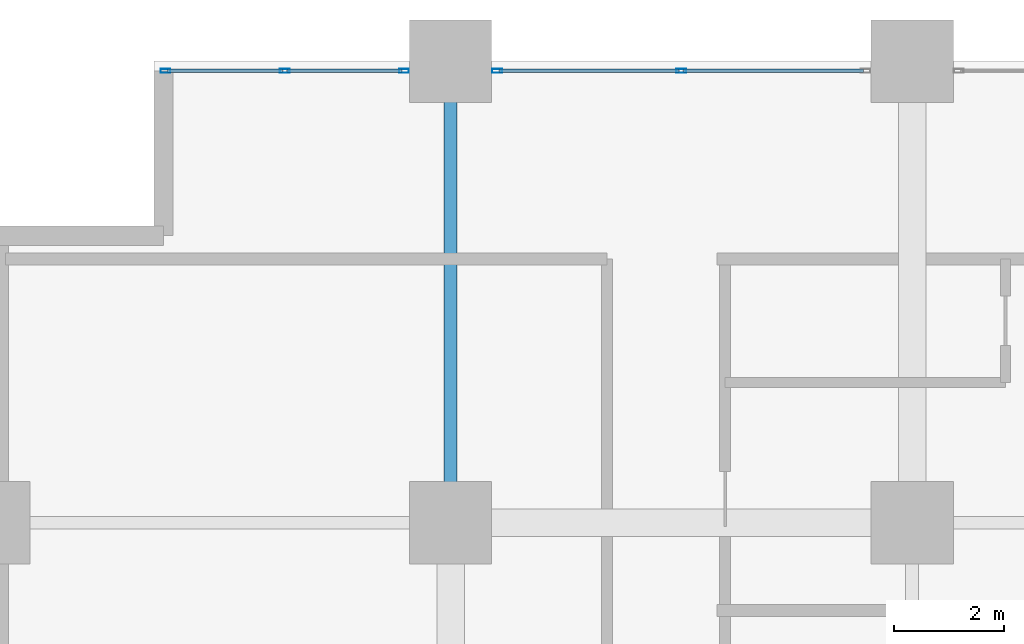
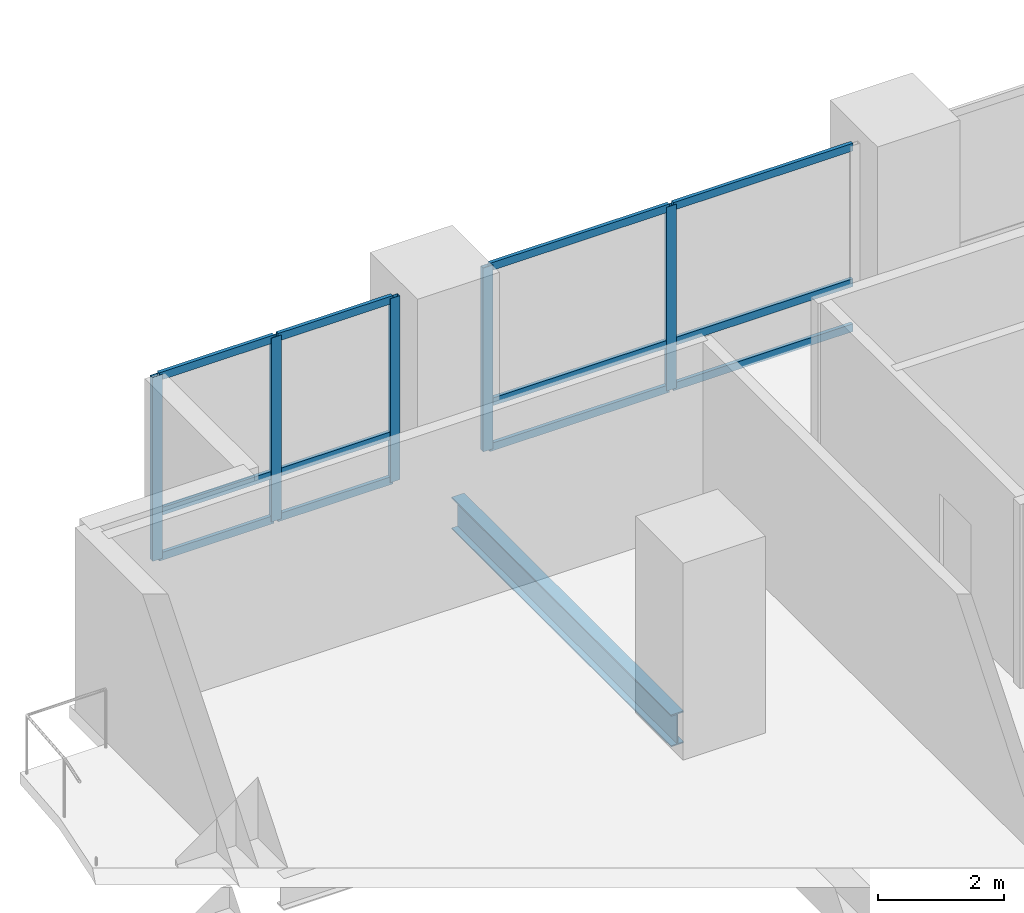
# One storey, part 3 of 22: 17 members, 1 beam, 2 elements without a shape of their own.
"""IFC4 building model written with IfcOpenShell, lengths in metres."""

import ifcopenshell
import ifcopenshell.guid

model = None  # the IFC model being written
_history = None  # IfcOwnerHistory: only IFC2X3 demands one
_inside = {}  # id of a spatial element -> (the spatial element, [elements in it])
_under = {}  # id of a project, library or spatial element -> (it, [spatial elements below it])
_declared = {}  # id of a project -> (the project, [libraries it declares])
_typed = {}  # id of a type object -> (the type object, [elements of that type])
_made_of = {}  # id of a material, layer set ... -> (it, [elements and type objects made of it])


def new_model(schema):
    """Start an empty IFC model of exactly this schema.

    Asked for "IFC4X3", IfcOpenShell would pick the latest addendum, in which some entities
    have other attributes; the version numbers below select the first issue.
    IFC2X3 requires an IfcOwnerHistory on every rooted entity: one is made here for all.
    """
    global model, _history
    if schema == "IFC4X3":
        model = ifcopenshell.file(schema_version=(4, 3, 0, 0))
    else:
        model = ifcopenshell.file(schema=schema)
    _inside.clear()
    _under.clear()
    _declared.clear()
    _typed.clear()
    _made_of.clear()
    _history = None
    if model.schema == "IFC2X3":
        org = make("IfcOrganization", Name="unknown")
        user = make(
            "IfcPersonAndOrganization",
            ThePerson=make("IfcPerson", FamilyName="unknown"),
            TheOrganization=org,
        )
        app = make(
            "IfcApplication",
            ApplicationDeveloper=org,
            Version="unknown",
            ApplicationFullName="unknown",
            ApplicationIdentifier="unknown",
        )
        _history = make(
            "IfcOwnerHistory",
            OwningUser=user,
            OwningApplication=app,
            ChangeAction="ADDED",
            CreationDate=0,
        )
    return model


def make(cls, **values):
    """One entity of the class cls with the attributes given. An attribute that is None is left unset."""
    return model.create_entity(
        cls, **{name: value for name, value in values.items() if value is not None}
    )


def rooted(cls, **values):
    """An entity with a GlobalId (a new one), such as an element, a storey or a relation."""
    return make(cls, GlobalId=ifcopenshell.guid.new(), OwnerHistory=_history, **values)


def si_unit(unit_type, name, prefix=None):
    """IfcSIUnit, for example si_unit("LENGTHUNIT", "METRE", prefix="MILLI")."""
    return make("IfcSIUnit", UnitType=unit_type, Prefix=prefix, Name=name)


def assignment(units):
    """IfcUnitAssignment: the units of a project."""
    return None if units is None else make("IfcUnitAssignment", Units=units)


def point(xyz):
    """IfcCartesianPoint."""
    return None if xyz is None else make("IfcCartesianPoint", Coordinates=xyz)


def direction(xyz):
    """IfcDirection."""
    return None if xyz is None else make("IfcDirection", DirectionRatios=xyz)


def frame(location, z_axis=None, x_axis=None):
    """IfcAxis2Placement3D, a coordinate frame: its origin and axes. An axis left out is left unset."""
    return make(
        "IfcAxis2Placement3D",
        Location=point(location),
        Axis=direction(z_axis),
        RefDirection=direction(x_axis),
    )


def frame_2d(location, x_axis=None):
    """IfcAxis2Placement2D, a coordinate frame in the plane: its origin and x axis."""
    return make(
        "IfcAxis2Placement2D", Location=point(location), RefDirection=direction(x_axis)
    )


def origin():
    """The frame at (0, 0, 0) with its axes left unset."""
    return frame((0.0, 0.0, 0.0))


def origin_2d():
    """The frame at (0, 0) in the plane with its x axis left unset."""
    return frame_2d((0.0, 0.0))


def place(relative_to, where):
    """IfcLocalPlacement: puts the frame where relative to a parent placement (None: the world)."""
    return make(
        "IfcLocalPlacement", PlacementRelTo=relative_to, RelativePlacement=where
    )


def context(
    kind, dimensions, precision=None, world=None, true_north=None, identifier=None
):
    """IfcGeometricRepresentationContext, for example the 3D "Model" context."""
    return make(
        "IfcGeometricRepresentationContext",
        ContextIdentifier=identifier,
        ContextType=kind,
        CoordinateSpaceDimension=dimensions,
        Precision=precision,
        WorldCoordinateSystem=world,
        TrueNorth=true_north,
    )


def subcontext(parent, identifier, kind, view, scale=None):
    """IfcGeometricRepresentationSubContext, for example "Body" below "Model"."""
    return make(
        "IfcGeometricRepresentationSubContext",
        ContextIdentifier=identifier,
        ContextType=kind,
        ParentContext=parent,
        TargetScale=scale,
        TargetView=view,
    )


def project(units=None, contexts=None):
    """IfcProject with its units and contexts."""
    return rooted(
        "IfcProject",
        Name="project",
        RepresentationContexts=contexts,
        UnitsInContext=assignment(units),
    )


def spatial(cls, under=None, at=None, **own):
    """A site, building, storey or space (cls), placed at a placement, below another one or the project."""
    s = rooted(cls, ObjectPlacement=at, **own)
    if under is not None:
        _under.setdefault(under.id(), (under, []))[1].append(s)
    return s


def profile(cls, at=None, kind="AREA", **sizes):
    """A parametric profile (cls). Its sizes go by their IFC names, for example OverallWidth=200.0."""
    return make(cls, ProfileType=kind, Position=at, **sizes)


def hollow_rectangle(**sizes):
    """IfcRectangleHollowProfileDef."""
    return profile("IfcRectangleHollowProfileDef", **sizes)


def i_section(**sizes):
    """IfcIShapeProfileDef."""
    return profile("IfcIShapeProfileDef", **sizes)


def extrude(swept, where, along, depth):
    """IfcExtrudedAreaSolid: the profile swept, set in the frame where, extruded along a direction by depth."""
    return make(
        "IfcExtrudedAreaSolid",
        SweptArea=swept,
        Position=where,
        ExtrudedDirection=direction(along),
        Depth=depth,
    )


def shape(context_of_items, identifier, shape_type, items):
    """IfcShapeRepresentation: the items that make up one representation, for example the "Body"."""
    return make(
        "IfcShapeRepresentation",
        ContextOfItems=context_of_items,
        RepresentationIdentifier=identifier,
        RepresentationType=shape_type,
        Items=items,
    )


def material(Name=None, Category=None):
    """IfcMaterial."""
    return make("IfcMaterial", Name=Name, Category=Category)


def layer(
    of_material, thickness, ventilated=None, Name=None, Category=None, Priority=None
):
    """IfcMaterialLayer: one layer of a wall or slab, of a material (None: an air gap)."""
    return make(
        "IfcMaterialLayer",
        Material=of_material,
        LayerThickness=thickness,
        IsVentilated=ventilated,
        Name=Name,
        Category=Category,
        Priority=Priority,
    )


def layer_set(layers, Name=None):
    """IfcMaterialLayerSet."""
    return make("IfcMaterialLayerSet", MaterialLayers=layers, LayerSetName=Name)


def material_profile(
    of_material, cross_section, Name=None, Category=None, Priority=None
):
    """IfcMaterialProfile: a cross section and its material."""
    return make(
        "IfcMaterialProfile",
        Name=Name,
        Material=of_material,
        Profile=cross_section,
        Priority=Priority,
        Category=Category,
    )


def profile_set(profiles, Name=None, composite=None):
    """IfcMaterialProfileSet."""
    return make(
        "IfcMaterialProfileSet",
        Name=Name,
        MaterialProfiles=profiles,
        CompositeProfile=composite,
    )


def made_of(thing, what):
    """Note that an element or type object is made of a material, layer set ...; save() writes the relation."""
    if what is not None:
        _made_of.setdefault(what.id(), (what, []))[1].append(thing)
    return thing


def type_object(cls, material=None, **own):
    """A type object (cls), such as IfcWallType, which elements share."""
    return made_of(rooted(cls, **own), material)


def element(
    cls,
    number,
    at=None,
    inside=None,
    cuts=None,
    type_object=None,
    material=None,
    context=None,
    identifier="Body",
    shape_type=None,
    held_by="IfcProductDefinitionShape",
    body=None,
    shapes=None,
    **own,
):
    """One element of the class cls, such as IfcWall. Its Tag is "e" and its number.

    at: its placement. inside: the storey or other place that contains it. cuts: it is an
    opening in that element (IfcRelVoidsElement). A single representation is given by context,
    identifier, shape_type and body (its items); several are given by shapes. held_by: the class
    of the entity that holds the representations. save() writes the other relations.
    """
    e = rooted(cls, Tag="e%d" % number, ObjectPlacement=at, **own)
    if body is not None:
        shapes = [shape(context, identifier, shape_type, body)]
    if shapes is not None:
        e.Representation = make(held_by, Representations=shapes)
    if inside is not None:
        _inside.setdefault(inside.id(), (inside, []))[1].append(e)
    if cuts is not None:
        rooted(
            "IfcRelVoidsElement", RelatingBuildingElement=cuts, RelatedOpeningElement=e
        )
    if type_object is not None:
        _typed.setdefault(type_object.id(), (type_object, []))[1].append(e)
    return made_of(e, material)


def aggregate(whole, parts):
    """IfcRelAggregates: a whole, such as a stair, and the parts it consists of."""
    return rooted("IfcRelAggregates", RelatingObject=whole, RelatedObjects=parts)


def save(model, path):
    """Write the relations noted so far, then the file.

    IfcRelAggregates (storeys below a building ...), IfcRelContainedInSpatialStructure (elements
    in a storey), IfcRelDefinesByType, IfcRelAssociatesMaterial and IfcRelDeclares: one each for
    every whole, place, type object, material and project.
    """
    for whole, parts in _under.values():
        aggregate(whole, parts)
    for where, things in _inside.values():
        rooted(
            "IfcRelContainedInSpatialStructure",
            RelatedElements=things,
            RelatingStructure=where,
        )
    for kind, things in _typed.values():
        rooted("IfcRelDefinesByType", RelatedObjects=things, RelatingType=kind)
    for what, things in _made_of.values():
        rooted("IfcRelAssociatesMaterial", RelatedObjects=things, RelatingMaterial=what)
    for by, libraries in _declared.values():
        rooted("IfcRelDeclares", RelatingContext=by, RelatedDefinitions=libraries)
    model.write(path)


model = new_model("IFC4")

# Units and contexts
model_context = context("Model", 3, precision=1e-05, world=origin(), true_north=direction((0.0, 1.0)))
body_context = subcontext(model_context, "Body", "Model", "MODEL_VIEW")
ifc_project = project(units=[si_unit("LENGTHUNIT", "METRE"), si_unit("AREAUNIT", "SQUARE_METRE"), si_unit("VOLUMEUNIT", "CUBIC_METRE"), si_unit("PLANEANGLEUNIT", "RADIAN"), si_unit("MASSUNIT", "GRAM", prefix="KILO")], contexts=[model_context])

# Site, building, storey
site_placement = place(None, origin())
site = spatial("IfcSite", under=ifc_project, at=site_placement, CompositionType="ELEMENT")
building_placement = place(site_placement, origin())
building = spatial("IfcBuilding", under=site, at=building_placement, Name="Koriwani Terraces Tower", CompositionType="ELEMENT")
storey_placement = place(building_placement, frame((0.0, 0.0, 62.39990234375)))
storey = spatial("IfcBuildingStorey", under=building, at=storey_placement, Name="L14", CompositionType="ELEMENT", Elevation=62.39990234375)

# Curtain wall, members
ifc_material_1 = material(Name="Anodised Bronze Aluminium", Category="aluminium")
ifc_layer = layer(ifc_material_1, 0.179931640625, Name="Anodised Bronze Aluminium")
ifc_layer_set = layer_set([ifc_layer], Name="Anodised Bronze Aluminium")
curtain_wall_type = type_object("IfcCurtainWallType", Name="CW_HOTEL_ZONE1", PredefinedType="NOTDEFINED", material=ifc_layer_set)
curtain_wall_1_placement = place(storey_placement, origin())
curtain_wall_1 = element("IfcCurtainWall", 1, at=curtain_wall_1_placement, inside=storey, type_object=curtain_wall_type, Name="L14 Unitised Curtain Wall (N_TIP) Bay 1", PredefinedType="NOTDEFINED")
ifc_material_profile_1 = material_profile(ifc_material_1, hollow_rectangle(XDim=0.074951171875, YDim=0.179931640625, WallThickness=0.006103515625, at=origin_2d()), Name="Anodised Bronze Aluminium", Category="LoadBearing")
ifc_profile_set_1 = profile_set([ifc_material_profile_1], Name="Anodised Bronze Aluminium")
member_type_1 = type_object("IfcMemberType", Name="CW_MULLION_180X75", PredefinedType="MULLION", material=ifc_profile_set_1)
member_1_placement = place(storey_placement, frame((3.21240234375, 92.22509765625, 0.0), z_axis=(0.0, 0.0, 1.0), x_axis=(0.0, 1.0, 0.0)))
member_1 = element("IfcMember", 2, at=member_1_placement, type_object=member_type_1, Name="CW-Z1 mullion 1", PredefinedType="MULLION", context=body_context, shape_type="SweptSolid", body=[
    extrude(hollow_rectangle(XDim=0.074951171875, YDim=0.179931640625, WallThickness=0.006103515625, at=origin_2d()), origin(), (0.0, 0.0, 1.0), 3.550048828125),
])
member_2_placement = place(storey_placement, frame((5.382568359375, 92.22509765625, 0.0), z_axis=(0.0, 0.0, 1.0), x_axis=(0.0, 1.0, 0.0)))
member_2 = element("IfcMember", 3, at=member_2_placement, type_object=member_type_1, Name="CW-Z1 mullion 2", PredefinedType="MULLION", context=body_context, shape_type="SweptSolid", body=[
    extrude(hollow_rectangle(XDim=0.074951171875, YDim=0.179931640625, WallThickness=0.006103515625, at=origin_2d()), origin(), (0.0, 0.0, 1.0), 3.550048828125),
])
member_3_placement = place(storey_placement, frame((7.552490234375, 92.22509765625, 0.0), z_axis=(0.0, 0.0, 1.0), x_axis=(0.0, 1.0, 0.0)))
member_3 = element("IfcMember", 4, at=member_3_placement, type_object=member_type_1, Name="CW-Z1 mullion 3", PredefinedType="MULLION", context=body_context, shape_type="SweptSolid", body=[
    extrude(hollow_rectangle(XDim=0.074951171875, YDim=0.179931640625, WallThickness=0.006103515625, at=origin_2d()), origin(), (0.0, 0.0, 1.0), 3.550048828125),
])

curtain_wall_2_placement = place(storey_placement, origin())
curtain_wall_2 = element("IfcCurtainWall", 5, at=curtain_wall_2_placement, inside=storey, type_object=curtain_wall_type, Name="L14 Unitised Curtain Wall (N_TIP) Bay 2", PredefinedType="NOTDEFINED")
member_4_placement = place(storey_placement, frame((9.24755859375, 92.22509765625, 0.0), z_axis=(0.0, 0.0, 1.0), x_axis=(0.0, 1.0, 0.0)))
member_4 = element("IfcMember", 6, at=member_4_placement, type_object=member_type_1, Name="CW-Z1 mullion 1", PredefinedType="MULLION", context=body_context, shape_type="SweptSolid", body=[
    extrude(hollow_rectangle(XDim=0.074951171875, YDim=0.179931640625, WallThickness=0.006103515625, at=origin_2d()), origin(), (0.0, 0.0, 1.0), 3.550048828125),
])
member_5_placement = place(storey_placement, frame((12.60009765625, 92.22509765625, 0.0), z_axis=(0.0, 0.0, 1.0), x_axis=(0.0, 1.0, 0.0)))
member_5 = element("IfcMember", 7, at=member_5_placement, type_object=member_type_1, Name="CW-Z1 mullion 2", PredefinedType="MULLION", context=body_context, shape_type="SweptSolid", body=[
    extrude(hollow_rectangle(XDim=0.074951171875, YDim=0.179931640625, WallThickness=0.006103515625, at=origin_2d()), origin(), (0.0, 0.0, 1.0), 3.550048828125),
])

# Member
ifc_material_profile_2 = material_profile(ifc_material_1, hollow_rectangle(XDim=0.06494140625, YDim=0.14990234375, WallThickness=0.0048828125, at=origin_2d()), Name="Anodised Bronze Aluminium", Category="LoadBearing")
ifc_profile_set_2 = profile_set([ifc_material_profile_2], Name="Anodised Bronze Aluminium")
member_type_2 = type_object("IfcMemberType", Name="CW_TRANSOM_150X65", PredefinedType="USERDEFINED", material=ifc_profile_set_2)
member_6_placement = place(storey_placement, frame((3.25, 92.22509765625, 0.03271484375), z_axis=(1.0, 0.0, 0.0), x_axis=(0.0, 1.0, 0.0)))
member_6 = element("IfcMember", 8, at=member_6_placement, type_object=member_type_2, Name="CW-Z1 transom 1.1", ObjectType="TRANSOM", PredefinedType="USERDEFINED", context=body_context, shape_type="SweptSolid", body=[
    extrude(hollow_rectangle(XDim=0.06494140625, YDim=0.14990234375, WallThickness=0.0048828125, at=origin_2d()), origin(), (0.0, 0.0, 1.0), 2.094970703125),
])

member_7_placement = place(storey_placement, frame((3.25, 92.22509765625, 0.900146484375), z_axis=(1.0, 0.0, 0.0), x_axis=(0.0, 1.0, 0.0)))
member_7 = element("IfcMember", 9, at=member_7_placement, type_object=member_type_2, Name="CW-Z1 transom 1.2", ObjectType="TRANSOM", PredefinedType="USERDEFINED", context=body_context, shape_type="SweptSolid", body=[
    extrude(hollow_rectangle(XDim=0.06494140625, YDim=0.14990234375, WallThickness=0.0048828125, at=origin_2d()), origin(), (0.0, 0.0, 1.0), 2.094970703125),
])

member_8_placement = place(storey_placement, frame((3.25, 92.22509765625, 3.517578125), z_axis=(1.0, 0.0, 0.0), x_axis=(0.0, 1.0, 0.0)))
member_8 = element("IfcMember", 10, at=member_8_placement, type_object=member_type_2, Name="CW-Z1 transom 1.3", ObjectType="TRANSOM", PredefinedType="USERDEFINED", context=body_context, shape_type="SweptSolid", body=[
    extrude(hollow_rectangle(XDim=0.06494140625, YDim=0.14990234375, WallThickness=0.0048828125, at=origin_2d()), origin(), (0.0, 0.0, 1.0), 2.094970703125),
])

member_9_placement = place(storey_placement, frame((5.419921875, 92.22509765625, 0.03271484375), z_axis=(1.0, 0.0, 0.0), x_axis=(0.0, 1.0, 0.0)))
member_9 = element("IfcMember", 11, at=member_9_placement, type_object=member_type_2, Name="CW-Z1 transom 2.1", ObjectType="TRANSOM", PredefinedType="USERDEFINED", context=body_context, shape_type="SweptSolid", body=[
    extrude(hollow_rectangle(XDim=0.06494140625, YDim=0.14990234375, WallThickness=0.0048828125, at=origin_2d()), origin(), (0.0, 0.0, 1.0), 2.094970703125),
])

member_10_placement = place(storey_placement, frame((5.419921875, 92.22509765625, 0.900146484375), z_axis=(1.0, 0.0, 0.0), x_axis=(0.0, 1.0, 0.0)))
member_10 = element("IfcMember", 12, at=member_10_placement, type_object=member_type_2, Name="CW-Z1 transom 2.2", ObjectType="TRANSOM", PredefinedType="USERDEFINED", context=body_context, shape_type="SweptSolid", body=[
    extrude(hollow_rectangle(XDim=0.06494140625, YDim=0.14990234375, WallThickness=0.0048828125, at=origin_2d()), origin(), (0.0, 0.0, 1.0), 2.094970703125),
])

member_11_placement = place(storey_placement, frame((5.419921875, 92.22509765625, 3.517578125), z_axis=(1.0, 0.0, 0.0), x_axis=(0.0, 1.0, 0.0)))
member_11 = element("IfcMember", 13, at=member_11_placement, type_object=member_type_2, Name="CW-Z1 transom 2.3", ObjectType="TRANSOM", PredefinedType="USERDEFINED", context=body_context, shape_type="SweptSolid", body=[
    extrude(hollow_rectangle(XDim=0.06494140625, YDim=0.14990234375, WallThickness=0.0048828125, at=origin_2d()), origin(), (0.0, 0.0, 1.0), 2.094970703125),
])

aggregate(curtain_wall_1, [member_1, member_2, member_3, member_6, member_7, member_8, member_9, member_10, member_11])

member_12_placement = place(storey_placement, frame((9.284912109375, 92.22509765625, 0.03271484375), z_axis=(1.0, 0.0, 0.0), x_axis=(0.0, 1.0, 0.0)))
member_12 = element("IfcMember", 14, at=member_12_placement, type_object=member_type_2, Name="CW-Z1 transom 1.1", ObjectType="TRANSOM", PredefinedType="USERDEFINED", context=body_context, shape_type="SweptSolid", body=[
    extrude(hollow_rectangle(XDim=0.06494140625, YDim=0.14990234375, WallThickness=0.0048828125, at=origin_2d()), origin(), (0.0, 0.0, 1.0), 3.277587890625),
])

member_13_placement = place(storey_placement, frame((9.284912109375, 92.22509765625, 0.900146484375), z_axis=(1.0, 0.0, 0.0), x_axis=(0.0, 1.0, 0.0)))
member_13 = element("IfcMember", 15, at=member_13_placement, type_object=member_type_2, Name="CW-Z1 transom 1.2", ObjectType="TRANSOM", PredefinedType="USERDEFINED", context=body_context, shape_type="SweptSolid", body=[
    extrude(hollow_rectangle(XDim=0.06494140625, YDim=0.14990234375, WallThickness=0.0048828125, at=origin_2d()), origin(), (0.0, 0.0, 1.0), 3.277587890625),
])

member_14_placement = place(storey_placement, frame((9.284912109375, 92.22509765625, 3.517578125), z_axis=(1.0, 0.0, 0.0), x_axis=(0.0, 1.0, 0.0)))
member_14 = element("IfcMember", 16, at=member_14_placement, type_object=member_type_2, Name="CW-Z1 transom 1.3", ObjectType="TRANSOM", PredefinedType="USERDEFINED", context=body_context, shape_type="SweptSolid", body=[
    extrude(hollow_rectangle(XDim=0.06494140625, YDim=0.14990234375, WallThickness=0.0048828125, at=origin_2d()), origin(), (0.0, 0.0, 1.0), 3.277587890625),
])

member_15_placement = place(storey_placement, frame((12.637451171875, 92.22509765625, 0.03271484375), z_axis=(1.0, 0.0, 0.0), x_axis=(0.0, 1.0, 0.0)))
member_15 = element("IfcMember", 17, at=member_15_placement, type_object=member_type_2, Name="CW-Z1 transom 2.1", ObjectType="TRANSOM", PredefinedType="USERDEFINED", context=body_context, shape_type="SweptSolid", body=[
    extrude(hollow_rectangle(XDim=0.06494140625, YDim=0.14990234375, WallThickness=0.0048828125, at=origin_2d()), origin(), (0.0, 0.0, 1.0), 3.277587890625),
])

member_16_placement = place(storey_placement, frame((12.637451171875, 92.22509765625, 0.900146484375), z_axis=(1.0, 0.0, 0.0), x_axis=(0.0, 1.0, 0.0)))
member_16 = element("IfcMember", 18, at=member_16_placement, type_object=member_type_2, Name="CW-Z1 transom 2.2", ObjectType="TRANSOM", PredefinedType="USERDEFINED", context=body_context, shape_type="SweptSolid", body=[
    extrude(hollow_rectangle(XDim=0.06494140625, YDim=0.14990234375, WallThickness=0.0048828125, at=origin_2d()), origin(), (0.0, 0.0, 1.0), 3.277587890625),
])

member_17_placement = place(storey_placement, frame((12.637451171875, 92.22509765625, 3.517578125), z_axis=(1.0, 0.0, 0.0), x_axis=(0.0, 1.0, 0.0)))
member_17 = element("IfcMember", 19, at=member_17_placement, type_object=member_type_2, Name="CW-Z1 transom 2.3", ObjectType="TRANSOM", PredefinedType="USERDEFINED", context=body_context, shape_type="SweptSolid", body=[
    extrude(hollow_rectangle(XDim=0.06494140625, YDim=0.14990234375, WallThickness=0.0048828125, at=origin_2d()), origin(), (0.0, 0.0, 1.0), 3.277587890625),
])

aggregate(curtain_wall_2, [member_4, member_5, member_12, member_13, member_14, member_15, member_16, member_17])

# Beam
ifc_material_2 = material(Name="Steel ASTM A572 Grade 50", Category="steel")
ifc_material_profile_3 = material_profile(ifc_material_2, i_section(OverallWidth=0.23095703125, OverallDepth=0.616943359375, WebThickness=0.015380859375, FlangeThickness=0.0244140625, at=origin_2d()), Name="Steel ASTM A572 Grade 50", Category="LoadBearing")
ifc_profile_set_3 = profile_set([ifc_material_profile_3], Name="Steel ASTM A572 Grade 50")
beam_type = type_object("IfcBeamType", Name="STEEL_BEAM_W610X195", PredefinedType="BEAM", material=ifc_profile_set_3)
beam_placement = place(storey_placement, frame((8.39990234375, 84.72998046875, -0.558349609375), z_axis=(0.0, 1.0, 0.0), x_axis=(-1.0, 0.0, 0.0)))
element("IfcBeam", 20, at=beam_placement, inside=storey, type_object=beam_type, Name="L14 Grid Beam 2 (84.0-92.4m)", PredefinedType="BEAM", context=body_context, shape_type="SweptSolid", body=[
    extrude(i_section(OverallWidth=0.23095703125, OverallDepth=0.616943359375, WebThickness=0.015380859375, FlangeThickness=0.0244140625, at=origin_2d()), origin(), (0.0, 0.0, 1.0), 6.93994140625),
])

save(model, "model.ifc")
